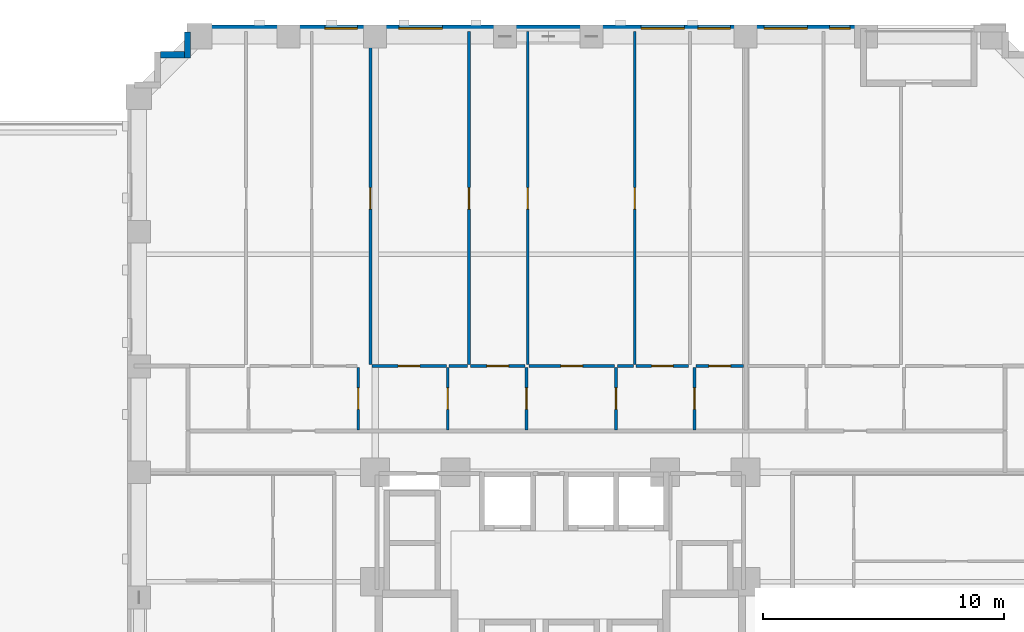
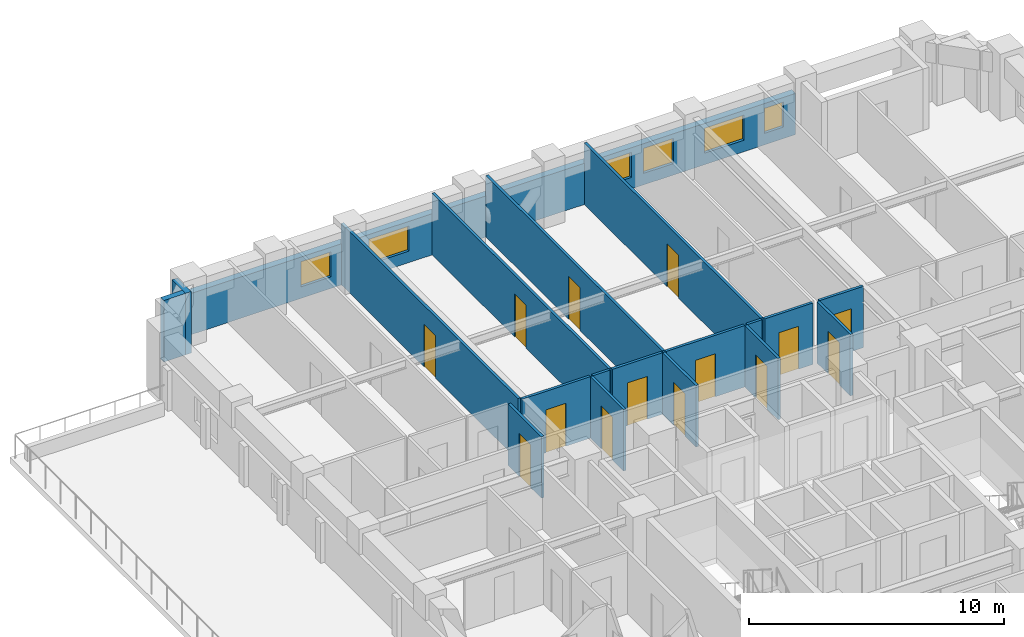
# One storey, part 8 of 14: 19 walls, 14 doors, 6 windows, 20 openings.
"""IFC4 building model written with IfcOpenShell, lengths in metres."""

from ifc_helpers import new_model, si_unit, derived_unit, direction, frame, frame_2d, origin, place, context, subcontext, project, spatial, rectangle, extrude, material, layer, layer_set, type_object, element, fill, save


model = new_model("IFC4")

# Units and contexts
model_context = context("Model", 3, precision=1e-05, world=origin(), true_north=direction((0.0, 1.0)))
body_context = subcontext(model_context, "Body", "Model", "MODEL_VIEW")
ifc_project = project(units=[si_unit("LENGTHUNIT", "METRE"), si_unit("AREAUNIT", "SQUARE_METRE"), si_unit("VOLUMEUNIT", "CUBIC_METRE"), si_unit("PLANEANGLEUNIT", "RADIAN"), si_unit("MASSUNIT", "GRAM", prefix="KILO"), derived_unit("THERMALTRANSMITTANCEUNIT", [(si_unit("MASSUNIT", "GRAM", prefix="KILO"), 1), (si_unit("TIMEUNIT", "SECOND"), -3), (si_unit("THERMODYNAMICTEMPERATUREUNIT", "KELVIN"), -1)])], contexts=[model_context])

# Site, building, storey
site_placement = place(None, origin())
site = spatial("IfcSite", under=ifc_project, at=site_placement, CompositionType="ELEMENT")
building_placement = place(site_placement, origin())
building = spatial("IfcBuilding", under=site, at=building_placement, Name="Korrvale Station Residences", CompositionType="ELEMENT")
storey_placement = place(building_placement, frame((0.0, 0.0, 25.800048828125)))
storey = spatial("IfcBuildingStorey", under=building, at=storey_placement, Name="L05", CompositionType="ELEMENT", Elevation=25.800048828125)

# Walls
ifc_material_1 = material(Name="Precast concrete C45/55", Category="concrete")
ifc_layer_1 = layer(ifc_material_1, 0.260009765625, Name="Precast concrete C45/55")
ifc_layer_set_1 = layer_set([ifc_layer_1], Name="Precast concrete C45/55")
wall_type_1 = type_object("IfcWallType", Name="WAL-EXT-LOG260", PredefinedType="SOLIDWALL", material=ifc_layer_set_1)
wall_1_placement = place(storey_placement, frame((8.882080078125, 46.35009765625, 0.0), z_axis=(0.0, 0.0, 1.0), x_axis=(1.0, 0.0, 0.0)))
element("IfcWall", 1, at=wall_1_placement, inside=storey, type_object=wall_type_1, Name="L05 Serrated Corner Precast Step NW-3", PredefinedType="SOLIDWALL", context=body_context, shape_type="SweptSolid", body=[
    extrude(rectangle(XDim=0.98583984375, YDim=0.260009765625, at=frame_2d((0.492919921875, 0.0))), origin(), (0.0, 0.0, 1.0), 2.93994140625),
])
wall_2_placement = place(storey_placement, frame((10.0, 46.219970703125, 0.0), z_axis=(0.0, 0.0, 1.0), x_axis=(0.0, 1.0, 0.0)))
element("IfcWall", 2, at=wall_2_placement, inside=storey, type_object=wall_type_1, Name="L05 Serrated Corner Precast Step NW-4", PredefinedType="SOLIDWALL", context=body_context, shape_type="SweptSolid", body=[
    extrude(rectangle(XDim=1.078125, YDim=0.260009765625, at=frame_2d((0.5390625, 0.0))), origin(), (0.0, 0.0, 1.0), 2.93994140625),
])

# Wall, openings, windows
ifc_layer_2 = layer(ifc_material_1, 0.300048828125, Name="Precast concrete C45/55")
ifc_layer_set_2 = layer_set([ifc_layer_2], Name="Precast concrete C45/55")
wall_type_2 = type_object("IfcWallType", Name="WAL-EXT-PC300", PredefinedType="SOLIDWALL", material=ifc_layer_set_2)
wall_3_placement = place(storey_placement, frame((10.0, 47.449951171875, 0.0), z_axis=(0.0, 0.0, 1.0), x_axis=(1.0, 0.0, 0.0)))
wall_3 = element("IfcWall", 3, at=wall_3_placement, inside=storey, type_object=wall_type_2, Name="L05 North Exterior Precast Wall 1", PredefinedType="SOLIDWALL", context=body_context, shape_type="SweptSolid", body=[
    extrude(rectangle(XDim=28.10009765625, YDim=0.300048828125, at=frame_2d((14.050048828125, 0.0))), origin(), (0.0, 0.0, 1.0), 1.974853515625),
])
opening_1_placement = place(wall_3_placement, frame((5.7119140625, 0.0, 0.550048828125)))
opening_1 = element("IfcOpeningElement", 4, at=opening_1_placement, cuts=wall_3, Name="Opening W-10", PredefinedType="OPENING", context=body_context, shape_type="SweptSolid", body=[
    extrude(rectangle(XDim=1.35009765625, YDim=1.199951171875, at=frame_2d((0.675048828125, 0.60009765625))), frame((0.0, 0.16015625, 0.0), z_axis=(0.0, -1.0, 0.0), x_axis=(1.0, 0.0, 0.0)), (0.0, 0.0, 1.0), 0.320068359375),
])
opening_2_placement = place(wall_3_placement, frame((8.7919921875, 0.0, 0.550048828125)))
opening_2 = element("IfcOpeningElement", 5, at=opening_2_placement, cuts=wall_3, Name="Opening W-09", PredefinedType="OPENING", context=body_context, shape_type="SweptSolid", body=[
    extrude(rectangle(XDim=1.800048828125, YDim=1.199951171875, at=frame_2d((0.89990234375, 0.60009765625))), frame((0.0, 0.16015625, 0.0), z_axis=(0.0, -1.0, 0.0), x_axis=(1.0, 0.0, 0.0)), (0.0, 0.0, 1.0), 0.320068359375),
])
opening_3_placement = place(wall_3_placement, frame((18.860107421875, 0.0, 0.550048828125)))
opening_3 = element("IfcOpeningElement", 6, at=opening_3_placement, cuts=wall_3, Name="Opening W-09", PredefinedType="OPENING", context=body_context, shape_type="SweptSolid", body=[
    extrude(rectangle(XDim=1.800048828125, YDim=1.199951171875, at=frame_2d((0.89990234375, 0.60009765625))), frame((0.0, 0.16015625, 0.0), z_axis=(0.0, -1.0, 0.0), x_axis=(1.0, 0.0, 0.0)), (0.0, 0.0, 1.0), 0.320068359375),
])
opening_4_placement = place(wall_3_placement, frame((21.215087890625, 0.0, 0.550048828125)))
opening_4 = element("IfcOpeningElement", 7, at=opening_4_placement, cuts=wall_3, Name="Opening W-10", PredefinedType="OPENING", context=body_context, shape_type="SweptSolid", body=[
    extrude(rectangle(XDim=1.35009765625, YDim=1.199951171875, at=frame_2d((0.675048828125, 0.60009765625))), frame((0.0, 0.16015625, 0.0), z_axis=(0.0, -1.0, 0.0), x_axis=(1.0, 0.0, 0.0)), (0.0, 0.0, 1.0), 0.320068359375),
])
opening_5_placement = place(wall_3_placement, frame((23.968994140625, 0.0, 0.550048828125)))
opening_5 = element("IfcOpeningElement", 8, at=opening_5_placement, cuts=wall_3, Name="Opening W-09", PredefinedType="OPENING", context=body_context, shape_type="SweptSolid", body=[
    extrude(rectangle(XDim=1.800048828125, YDim=1.199951171875, at=frame_2d((0.89990234375, 0.60009765625))), frame((0.0, 0.16015625, 0.0), z_axis=(0.0, -1.0, 0.0), x_axis=(1.0, 0.0, 0.0)), (0.0, 0.0, 1.0), 0.320068359375),
])
opening_6_placement = place(wall_3_placement, frame((26.697998046875, 0.0, 0.550048828125)))
opening_6 = element("IfcOpeningElement", 9, at=opening_6_placement, cuts=wall_3, Name="Opening W-11", PredefinedType="OPENING", context=body_context, shape_type="SweptSolid", body=[
    extrude(rectangle(XDim=0.85009765625, YDim=1.199951171875, at=frame_2d((0.425048828125, 0.60009765625))), frame((0.0, 0.16015625, 0.0), z_axis=(0.0, -1.0, 0.0), x_axis=(1.0, 0.0, 0.0)), (0.0, 0.0, 1.0), 0.320068359375),
])
ifc_material_2 = material(Name="Thermally broken aluminium frame with triple low-e glazing", Category="aluminium")
window_type_1 = type_object("IfcWindowType", Name="WIN-W09", PartitioningType="DOUBLE_PANEL_VERTICAL", PredefinedType="WINDOW", material=ifc_material_2)
window_1_placement = place(opening_2_placement, origin())
window_1 = element("IfcWindow", 10, at=window_1_placement, inside=storey, type_object=window_type_1, Name="L05 Punched Window 16", OverallHeight=1.199951171875, OverallWidth=1.800048828125, PartitioningType="DOUBLE_PANEL_VERTICAL", PredefinedType="WINDOW", context=body_context, shape_type="SweptSolid", body=[
    extrude(rectangle(XDim=1.800048828125, YDim=1.199951171875, at=frame_2d((0.89990234375, 0.60009765625))), frame((0.0, 0.030029296875, 0.0), z_axis=(0.0, -1.0, 0.0), x_axis=(1.0, 0.0, 0.0)), (0.0, 0.0, 1.0), 0.06005859375),
])
fill(opening_2, window_1)
window_2_placement = place(opening_3_placement, origin())
window_2 = element("IfcWindow", 11, at=window_2_placement, inside=storey, type_object=window_type_1, Name="L05 Punched Window 17", OverallHeight=1.199951171875, OverallWidth=1.800048828125, PartitioningType="DOUBLE_PANEL_VERTICAL", PredefinedType="WINDOW", context=body_context, shape_type="SweptSolid", body=[
    extrude(rectangle(XDim=1.800048828125, YDim=1.199951171875, at=frame_2d((0.89990234375, 0.60009765625))), frame((0.0, 0.030029296875, 0.0), z_axis=(0.0, -1.0, 0.0), x_axis=(1.0, 0.0, 0.0)), (0.0, 0.0, 1.0), 0.06005859375),
])
fill(opening_3, window_2)
window_3_placement = place(opening_5_placement, origin())
window_3 = element("IfcWindow", 12, at=window_3_placement, inside=storey, type_object=window_type_1, Name="L05 Punched Window 19", OverallHeight=1.199951171875, OverallWidth=1.800048828125, PartitioningType="DOUBLE_PANEL_VERTICAL", PredefinedType="WINDOW", context=body_context, shape_type="SweptSolid", body=[
    extrude(rectangle(XDim=1.800048828125, YDim=1.199951171875, at=frame_2d((0.89990234375, 0.60009765625))), frame((0.0, 0.030029296875, 0.0), z_axis=(0.0, -1.0, 0.0), x_axis=(1.0, 0.0, 0.0)), (0.0, 0.0, 1.0), 0.06005859375),
])
fill(opening_5, window_3)
window_type_2 = type_object("IfcWindowType", Name="WIN-W10", PartitioningType="SINGLE_PANEL", PredefinedType="WINDOW", material=ifc_material_2)
window_4_placement = place(opening_1_placement, origin())
window_4 = element("IfcWindow", 13, at=window_4_placement, inside=storey, type_object=window_type_2, Name="L05 Punched Window 15", OverallHeight=1.199951171875, OverallWidth=1.35009765625, PartitioningType="SINGLE_PANEL", PredefinedType="WINDOW", context=body_context, shape_type="SweptSolid", body=[
    extrude(rectangle(XDim=1.35009765625, YDim=1.199951171875, at=frame_2d((0.675048828125, 0.60009765625))), frame((0.0, 0.030029296875, 0.0), z_axis=(0.0, -1.0, 0.0), x_axis=(1.0, 0.0, 0.0)), (0.0, 0.0, 1.0), 0.06005859375),
])
fill(opening_1, window_4)
window_5_placement = place(opening_4_placement, origin())
window_5 = element("IfcWindow", 14, at=window_5_placement, inside=storey, type_object=window_type_2, Name="L05 Punched Window 18", OverallHeight=1.199951171875, OverallWidth=1.35009765625, PartitioningType="SINGLE_PANEL", PredefinedType="WINDOW", context=body_context, shape_type="SweptSolid", body=[
    extrude(rectangle(XDim=1.35009765625, YDim=1.199951171875, at=frame_2d((0.675048828125, 0.60009765625))), frame((0.0, 0.030029296875, 0.0), z_axis=(0.0, -1.0, 0.0), x_axis=(1.0, 0.0, 0.0)), (0.0, 0.0, 1.0), 0.06005859375),
])
fill(opening_4, window_5)
window_type_3 = type_object("IfcWindowType", Name="WIN-W11", PartitioningType="SINGLE_PANEL", PredefinedType="WINDOW", material=ifc_material_2)
window_6_placement = place(opening_6_placement, origin())
window_6 = element("IfcWindow", 15, at=window_6_placement, inside=storey, type_object=window_type_3, Name="L05 Punched Window 20", OverallHeight=1.199951171875, OverallWidth=0.85009765625, PartitioningType="SINGLE_PANEL", PredefinedType="WINDOW", context=body_context, shape_type="SweptSolid", body=[
    extrude(rectangle(XDim=0.85009765625, YDim=1.199951171875, at=frame_2d((0.425048828125, 0.60009765625))), frame((0.0, 0.030029296875, 0.0), z_axis=(0.0, -1.0, 0.0), x_axis=(1.0, 0.0, 0.0)), (0.0, 0.0, 1.0), 0.06005859375),
])
fill(opening_6, window_6)

# Wall, opening, door
ifc_material_3 = material(Name="Acoustic steel-stud gypsum board partition", Category="steel")
ifc_layer_3 = layer(ifc_material_3, 0.1201171875, Name="Acoustic steel-stud gypsum board partition")
ifc_layer_set_3 = layer_set([ifc_layer_3], Name="Acoustic steel-stud gypsum board partition")
wall_type_3 = type_object("IfcWallType", Name="WAL-PART-125", PredefinedType="PARTITIONING", material=ifc_layer_set_3)
wall_4_placement = place(storey_placement, frame((17.10009765625, 30.760009765625, 0.0), z_axis=(0.0, 0.0, 1.0), x_axis=(0.0, 1.0, 0.0)))
wall_4 = element("IfcWall", 16, at=wall_4_placement, inside=storey, type_object=wall_type_3, Name="L05 Suite Partition U02-V12", PredefinedType="PARTITIONING", context=body_context, shape_type="SweptSolid", body=[
    extrude(rectangle(XDim=2.60009765625, YDim=0.1201171875, at=frame_2d((1.300048828125, 0.0))), origin(), (0.0, 0.0, 1.0), 2.93994140625),
])
opening_7_placement = place(wall_4_placement, frame((0.85009765625, 0.0, 0.0)))
opening_7 = element("IfcOpeningElement", 17, at=opening_7_placement, cuts=wall_4, Name="Opening DI-900", PredefinedType="OPENING", context=body_context, shape_type="SweptSolid", body=[
    extrude(rectangle(XDim=0.89990234375, YDim=2.050048828125, at=frame_2d((0.449951171875, 1.02490234375))), frame((0.0, 0.070068359375, 0.0), z_axis=(0.0, -1.0, 0.0), x_axis=(1.0, 0.0, 0.0)), (0.0, 0.0, 1.0), 0.14013671875),
])
ifc_material_4 = material(Name="Painted solid-core timber interior room door", Category="wood")
door_type = type_object("IfcDoorType", Name="DR-INT-900", OperationType="NOTDEFINED", PredefinedType="DOOR", material=ifc_material_4)
door_1_placement = place(opening_7_placement, origin())
door_1 = element("IfcDoor", 18, at=door_1_placement, inside=storey, type_object=door_type, Name="L05 Apartment 2BR L05-U02 Kitchen Door", OperationType="SINGLE_SWING_RIGHT", OverallHeight=2.050048828125, OverallWidth=0.89990234375, PredefinedType="DOOR", context=body_context, shape_type="SweptSolid", body=[
    extrude(rectangle(XDim=0.89990234375, YDim=2.050048828125, at=frame_2d((0.449951171875, 1.02490234375))), frame((0.0, 0.02490234375, 0.0), z_axis=(0.0, -1.0, 0.0), x_axis=(1.0, 0.0, 0.0)), (0.0, 0.0, 1.0), 0.050048828125),
])
fill(opening_7, door_1)

wall_5_placement = place(storey_placement, frame((20.820068359375, 30.760009765625, 0.0), z_axis=(0.0, 0.0, 1.0), x_axis=(0.0, 1.0, 0.0)))
wall_5 = element("IfcWall", 19, at=wall_5_placement, inside=storey, type_object=wall_type_3, Name="L05 Suite Partition U02-V23", PredefinedType="PARTITIONING", context=body_context, shape_type="SweptSolid", body=[
    extrude(rectangle(XDim=2.60009765625, YDim=0.1201171875, at=frame_2d((1.300048828125, 0.0))), origin(), (0.0, 0.0, 1.0), 2.93994140625),
])
opening_8_placement = place(wall_5_placement, frame((0.85009765625, 0.0, 0.0)))
opening_8 = element("IfcOpeningElement", 20, at=opening_8_placement, cuts=wall_5, Name="Opening DI-900", PredefinedType="OPENING", context=body_context, shape_type="SweptSolid", body=[
    extrude(rectangle(XDim=0.89990234375, YDim=2.050048828125, at=frame_2d((0.449951171875, 1.02490234375))), frame((0.0, 0.070068359375, 0.0), z_axis=(0.0, -1.0, 0.0), x_axis=(1.0, 0.0, 0.0)), (0.0, 0.0, 1.0), 0.14013671875),
])
door_2_placement = place(opening_8_placement, origin())
door_2 = element("IfcDoor", 21, at=door_2_placement, inside=storey, type_object=door_type, Name="L05 Apartment 2BR L05-U02 Utility and Laundry Room Door", OperationType="SINGLE_SWING_LEFT", OverallHeight=2.050048828125, OverallWidth=0.89990234375, PredefinedType="DOOR", context=body_context, shape_type="SweptSolid", body=[
    extrude(rectangle(XDim=0.89990234375, YDim=2.050048828125, at=frame_2d((0.449951171875, 1.02490234375))), frame((0.0, 0.02490234375, 0.0), z_axis=(0.0, -1.0, 0.0), x_axis=(1.0, 0.0, 0.0)), (0.0, 0.0, 1.0), 0.050048828125),
])
fill(opening_8, door_2)

wall_6_placement = place(storey_placement, frame((17.6640625, 33.419921875, 0.0), z_axis=(0.0, 0.0, 1.0), x_axis=(1.0, 0.0, 0.0)))
wall_6 = element("IfcWall", 22, at=wall_6_placement, inside=storey, type_object=wall_type_3, Name="L05 Suite Partition U02-H210", PredefinedType="PARTITIONING", context=body_context, shape_type="SweptSolid", body=[
    extrude(rectangle(XDim=3.095947265625, YDim=0.1201171875, at=frame_2d((1.5478515625, 0.0))), origin(), (0.0, 0.0, 1.0), 2.93994140625),
])
opening_9_placement = place(wall_6_placement, frame((1.097900390625, 0.0, 0.0)))
opening_9 = element("IfcOpeningElement", 23, at=opening_9_placement, cuts=wall_6, Name="Opening DI-900", PredefinedType="OPENING", context=body_context, shape_type="SweptSolid", body=[
    extrude(rectangle(XDim=0.89990234375, YDim=2.050048828125, at=frame_2d((0.449951171875, 1.02490234375))), frame((0.0, 0.070068359375, 0.0), z_axis=(0.0, -1.0, 0.0), x_axis=(1.0, 0.0, 0.0)), (0.0, 0.0, 1.0), 0.14013671875),
])
door_3_placement = place(opening_9_placement, origin())
door_3 = element("IfcDoor", 24, at=door_3_placement, inside=storey, type_object=door_type, Name="L05 Apartment 2BR L05-U02 Utility and Laundry Room Door", OperationType="SINGLE_SWING_RIGHT", OverallHeight=2.050048828125, OverallWidth=0.89990234375, PredefinedType="DOOR", context=body_context, shape_type="SweptSolid", body=[
    extrude(rectangle(XDim=0.89990234375, YDim=2.050048828125, at=frame_2d((0.449951171875, 1.02490234375))), frame((0.0, 0.02490234375, 0.0), z_axis=(0.0, -1.0, 0.0), x_axis=(1.0, 0.0, 0.0)), (0.0, 0.0, 1.0), 0.050048828125),
])
fill(opening_9, door_3)

wall_7_placement = place(storey_placement, frame((24.090087890625, 30.760009765625, 0.0), z_axis=(0.0, 0.0, 1.0), x_axis=(0.0, 1.0, 0.0)))
wall_7 = element("IfcWall", 25, at=wall_7_placement, inside=storey, type_object=wall_type_3, Name="L05 Suite Partition U02-V34", PredefinedType="PARTITIONING", context=body_context, shape_type="SweptSolid", body=[
    extrude(rectangle(XDim=2.60009765625, YDim=0.1201171875, at=frame_2d((1.300048828125, 0.0))), origin(), (0.0, 0.0, 1.0), 2.93994140625),
])
opening_10_placement = place(wall_7_placement, frame((0.85009765625, 0.0, 0.0)))
opening_10 = element("IfcOpeningElement", 26, at=opening_10_placement, cuts=wall_7, Name="Opening DI-900", PredefinedType="OPENING", context=body_context, shape_type="SweptSolid", body=[
    extrude(rectangle(XDim=0.89990234375, YDim=2.050048828125, at=frame_2d((0.449951171875, 1.02490234375))), frame((0.0, 0.070068359375, 0.0), z_axis=(0.0, -1.0, 0.0), x_axis=(1.0, 0.0, 0.0)), (0.0, 0.0, 1.0), 0.14013671875),
])
door_4_placement = place(opening_10_placement, origin())
door_4 = element("IfcDoor", 27, at=door_4_placement, inside=storey, type_object=door_type, Name="L05 Apartment 2BR L05-U02 Storage Closet 2 Door", OperationType="SINGLE_SWING_LEFT", OverallHeight=2.050048828125, OverallWidth=0.89990234375, PredefinedType="DOOR", context=body_context, shape_type="SweptSolid", body=[
    extrude(rectangle(XDim=0.89990234375, YDim=2.050048828125, at=frame_2d((0.449951171875, 1.02490234375))), frame((0.0, 0.02490234375, 0.0), z_axis=(0.0, -1.0, 0.0), x_axis=(1.0, 0.0, 0.0)), (0.0, 0.0, 1.0), 0.050048828125),
])
fill(opening_10, door_4)

# Wall
wall_8_placement = place(storey_placement, frame((20.8798828125, 33.419921875, 0.0), z_axis=(0.0, 0.0, 1.0), x_axis=(1.0, 0.0, 0.0)))
element("IfcWall", 28, at=wall_8_placement, inside=storey, type_object=wall_type_3, Name="L05 Suite Partition U02-H310", PredefinedType="PARTITIONING", context=body_context, shape_type="SweptSolid", body=[
    extrude(rectangle(XDim=0.76708984375, YDim=0.1201171875, at=frame_2d((0.383544921875, 0.0))), origin(), (0.0, 0.0, 1.0), 2.93994140625),
])

# Wall, opening, door
wall_9_placement = place(storey_placement, frame((21.76708984375, 33.419921875, 0.0), z_axis=(0.0, 0.0, 1.0), x_axis=(1.0, 0.0, 0.0)))
wall_9 = element("IfcWall", 29, at=wall_9_placement, inside=storey, type_object=wall_type_3, Name="L05 Suite Partition U02-H311", PredefinedType="PARTITIONING", context=body_context, shape_type="SweptSolid", body=[
    extrude(rectangle(XDim=2.262939453125, YDim=0.1201171875, at=frame_2d((1.13134765625, 0.0))), origin(), (0.0, 0.0, 1.0), 2.93994140625),
])
opening_11_placement = place(wall_9_placement, frame((0.680908203125, 0.0, 0.0)))
opening_11 = element("IfcOpeningElement", 30, at=opening_11_placement, cuts=wall_9, Name="Opening DI-900", PredefinedType="OPENING", context=body_context, shape_type="SweptSolid", body=[
    extrude(rectangle(XDim=0.89990234375, YDim=2.050048828125, at=frame_2d((0.449951171875, 1.02490234375))), frame((0.0, 0.070068359375, 0.0), z_axis=(0.0, -1.0, 0.0), x_axis=(1.0, 0.0, 0.0)), (0.0, 0.0, 1.0), 0.14013671875),
])
door_5_placement = place(opening_11_placement, origin())
door_5 = element("IfcDoor", 31, at=door_5_placement, inside=storey, type_object=door_type, Name="L05 Apartment 2BR L05-U02 Storage Closet 2 Door", OperationType="SINGLE_SWING_RIGHT", OverallHeight=2.050048828125, OverallWidth=0.89990234375, PredefinedType="DOOR", context=body_context, shape_type="SweptSolid", body=[
    extrude(rectangle(XDim=0.89990234375, YDim=2.050048828125, at=frame_2d((0.449951171875, 1.02490234375))), frame((0.0, 0.02490234375, 0.0), z_axis=(0.0, -1.0, 0.0), x_axis=(1.0, 0.0, 0.0)), (0.0, 0.0, 1.0), 0.050048828125),
])
fill(opening_11, door_5)

wall_10_placement = place(storey_placement, frame((27.81005859375, 30.760009765625, 0.0), z_axis=(0.0, 0.0, 1.0), x_axis=(0.0, 1.0, 0.0)))
wall_10 = element("IfcWall", 32, at=wall_10_placement, inside=storey, type_object=wall_type_3, Name="L05 Suite Partition U02-V45", PredefinedType="PARTITIONING", context=body_context, shape_type="SweptSolid", body=[
    extrude(rectangle(XDim=2.60009765625, YDim=0.1201171875, at=frame_2d((1.300048828125, 0.0))), origin(), (0.0, 0.0, 1.0), 2.93994140625),
])
opening_12_placement = place(wall_10_placement, frame((0.85009765625, 0.0, 0.0)))
opening_12 = element("IfcOpeningElement", 33, at=opening_12_placement, cuts=wall_10, Name="Opening DI-900", PredefinedType="OPENING", context=body_context, shape_type="SweptSolid", body=[
    extrude(rectangle(XDim=0.89990234375, YDim=2.050048828125, at=frame_2d((0.449951171875, 1.02490234375))), frame((0.0, 0.070068359375, 0.0), z_axis=(0.0, -1.0, 0.0), x_axis=(1.0, 0.0, 0.0)), (0.0, 0.0, 1.0), 0.14013671875),
])
door_6_placement = place(opening_12_placement, origin())
door_6 = element("IfcDoor", 34, at=door_6_placement, inside=storey, type_object=door_type, Name="L05 Apartment 2BR L05-U02 Storage Closet 3 Door", OperationType="SINGLE_SWING_LEFT", OverallHeight=2.050048828125, OverallWidth=0.89990234375, PredefinedType="DOOR", context=body_context, shape_type="SweptSolid", body=[
    extrude(rectangle(XDim=0.89990234375, YDim=2.050048828125, at=frame_2d((0.449951171875, 1.02490234375))), frame((0.0, 0.02490234375, 0.0), z_axis=(0.0, -1.0, 0.0), x_axis=(1.0, 0.0, 0.0)), (0.0, 0.0, 1.0), 0.050048828125),
])
fill(opening_12, door_6)

wall_11_placement = place(storey_placement, frame((24.2041015625, 33.419921875, 0.0), z_axis=(0.0, 0.0, 1.0), x_axis=(1.0, 0.0, 0.0)))
wall_11 = element("IfcWall", 35, at=wall_11_placement, inside=storey, type_object=wall_type_3, Name="L05 Suite Partition U02-H412", PredefinedType="PARTITIONING", context=body_context, shape_type="SweptSolid", body=[
    extrude(rectangle(XDim=3.5458984375, YDim=0.1201171875, at=frame_2d((1.77294921875, 0.0))), origin(), (0.0, 0.0, 1.0), 2.93994140625),
])
opening_13_placement = place(wall_11_placement, frame((1.322998046875, 0.0, 0.0)))
opening_13 = element("IfcOpeningElement", 36, at=opening_13_placement, cuts=wall_11, Name="Opening DI-900", PredefinedType="OPENING", context=body_context, shape_type="SweptSolid", body=[
    extrude(rectangle(XDim=0.89990234375, YDim=2.050048828125, at=frame_2d((0.449951171875, 1.02490234375))), frame((0.0, 0.070068359375, 0.0), z_axis=(0.0, -1.0, 0.0), x_axis=(1.0, 0.0, 0.0)), (0.0, 0.0, 1.0), 0.14013671875),
])
door_7_placement = place(opening_13_placement, origin())
door_7 = element("IfcDoor", 37, at=door_7_placement, inside=storey, type_object=door_type, Name="L05 Apartment 2BR L05-U02 Storage Closet 3 Door", OperationType="SINGLE_SWING_RIGHT", OverallHeight=2.050048828125, OverallWidth=0.89990234375, PredefinedType="DOOR", context=body_context, shape_type="SweptSolid", body=[
    extrude(rectangle(XDim=0.89990234375, YDim=2.050048828125, at=frame_2d((0.449951171875, 1.02490234375))), frame((0.0, 0.02490234375, 0.0), z_axis=(0.0, -1.0, 0.0), x_axis=(1.0, 0.0, 0.0)), (0.0, 0.0, 1.0), 0.050048828125),
])
fill(opening_13, door_7)

wall_12_placement = place(storey_placement, frame((31.080078125, 30.760009765625, 0.0), z_axis=(0.0, 0.0, 1.0), x_axis=(0.0, 1.0, 0.0)))
wall_12 = element("IfcWall", 38, at=wall_12_placement, inside=storey, type_object=wall_type_3, Name="L05 Suite Partition U02-V56", PredefinedType="PARTITIONING", context=body_context, shape_type="SweptSolid", body=[
    extrude(rectangle(XDim=2.60009765625, YDim=0.1201171875, at=frame_2d((1.300048828125, 0.0))), origin(), (0.0, 0.0, 1.0), 2.93994140625),
])
opening_14_placement = place(wall_12_placement, frame((0.85009765625, 0.0, 0.0)))
opening_14 = element("IfcOpeningElement", 39, at=opening_14_placement, cuts=wall_12, Name="Opening DI-900", PredefinedType="OPENING", context=body_context, shape_type="SweptSolid", body=[
    extrude(rectangle(XDim=0.89990234375, YDim=2.050048828125, at=frame_2d((0.449951171875, 1.02490234375))), frame((0.0, 0.070068359375, 0.0), z_axis=(0.0, -1.0, 0.0), x_axis=(1.0, 0.0, 0.0)), (0.0, 0.0, 1.0), 0.14013671875),
])
door_8_placement = place(opening_14_placement, origin())
door_8 = element("IfcDoor", 40, at=door_8_placement, inside=storey, type_object=door_type, Name="L05 Apartment 2BR L05-U02 Storage Closet 4 Door", OperationType="SINGLE_SWING_LEFT", OverallHeight=2.050048828125, OverallWidth=0.89990234375, PredefinedType="DOOR", context=body_context, shape_type="SweptSolid", body=[
    extrude(rectangle(XDim=0.89990234375, YDim=2.050048828125, at=frame_2d((0.449951171875, 1.02490234375))), frame((0.0, 0.02490234375, 0.0), z_axis=(0.0, -1.0, 0.0), x_axis=(1.0, 0.0, 0.0)), (0.0, 0.0, 1.0), 0.050048828125),
])
fill(opening_14, door_8)

# Wall
wall_13_placement = place(storey_placement, frame((27.8701171875, 33.419921875, 0.0), z_axis=(0.0, 0.0, 1.0), x_axis=(1.0, 0.0, 0.0)))
element("IfcWall", 41, at=wall_13_placement, inside=storey, type_object=wall_type_3, Name="L05 Suite Partition U02-H512", PredefinedType="PARTITIONING", context=body_context, shape_type="SweptSolid", body=[
    extrude(rectangle(XDim=0.664794921875, YDim=0.1201171875, at=frame_2d((0.33251953125, 0.0))), origin(), (0.0, 0.0, 1.0), 2.93994140625),
])

# Wall, opening, door
wall_14_placement = place(storey_placement, frame((28.655029296875, 33.419921875, 0.0), z_axis=(0.0, 0.0, 1.0), x_axis=(1.0, 0.0, 0.0)))
wall_14 = element("IfcWall", 42, at=wall_14_placement, inside=storey, type_object=wall_type_3, Name="L05 Suite Partition U02-H513", PredefinedType="PARTITIONING", context=body_context, shape_type="SweptSolid", body=[
    extrude(rectangle(XDim=2.1728515625, YDim=0.1201171875, at=frame_2d((1.08642578125, 0.0))), origin(), (0.0, 0.0, 1.0), 2.93994140625),
])
opening_15_placement = place(wall_14_placement, frame((0.635986328125, 0.0, 0.0)))
opening_15 = element("IfcOpeningElement", 43, at=opening_15_placement, cuts=wall_14, Name="Opening DI-900", PredefinedType="OPENING", context=body_context, shape_type="SweptSolid", body=[
    extrude(rectangle(XDim=0.89990234375, YDim=2.050048828125, at=frame_2d((0.449951171875, 1.02490234375))), frame((0.0, 0.070068359375, 0.0), z_axis=(0.0, -1.0, 0.0), x_axis=(1.0, 0.0, 0.0)), (0.0, 0.0, 1.0), 0.14013671875),
])
door_9_placement = place(opening_15_placement, origin())
door_9 = element("IfcDoor", 44, at=door_9_placement, inside=storey, type_object=door_type, Name="L05 Apartment 2BR L05-U02 Storage Closet 4 Door", OperationType="SINGLE_SWING_RIGHT", OverallHeight=2.050048828125, OverallWidth=0.89990234375, PredefinedType="DOOR", context=body_context, shape_type="SweptSolid", body=[
    extrude(rectangle(XDim=0.89990234375, YDim=2.050048828125, at=frame_2d((0.449951171875, 1.02490234375))), frame((0.0, 0.02490234375, 0.0), z_axis=(0.0, -1.0, 0.0), x_axis=(1.0, 0.0, 0.0)), (0.0, 0.0, 1.0), 0.050048828125),
])
fill(opening_15, door_9)

wall_15_placement = place(storey_placement, frame((31.139892578125, 33.419921875, 0.0), z_axis=(0.0, 0.0, 1.0), x_axis=(1.0, 0.0, 0.0)))
wall_15 = element("IfcWall", 45, at=wall_15_placement, inside=storey, type_object=wall_type_3, Name="L05 Suite Partition U02-H614", PredefinedType="PARTITIONING", context=body_context, shape_type="SweptSolid", body=[
    extrude(rectangle(XDim=1.980224609375, YDim=0.1201171875, at=frame_2d((0.990234375, 0.0))), origin(), (0.0, 0.0, 1.0), 2.93994140625),
])
opening_16_placement = place(wall_15_placement, frame((0.5400390625, 0.0, 0.0)))
opening_16 = element("IfcOpeningElement", 46, at=opening_16_placement, cuts=wall_15, Name="Opening DI-900", PredefinedType="OPENING", context=body_context, shape_type="SweptSolid", body=[
    extrude(rectangle(XDim=0.89990234375, YDim=2.050048828125, at=frame_2d((0.449951171875, 1.02490234375))), frame((0.0, 0.070068359375, 0.0), z_axis=(0.0, -1.0, 0.0), x_axis=(1.0, 0.0, 0.0)), (0.0, 0.0, 1.0), 0.14013671875),
])
door_10_placement = place(opening_16_placement, origin())
door_10 = element("IfcDoor", 47, at=door_10_placement, inside=storey, type_object=door_type, Name="L05 Apartment 2BR L05-U02 Storage Closet 5 Door", OperationType="SINGLE_SWING_LEFT", OverallHeight=2.050048828125, OverallWidth=0.89990234375, PredefinedType="DOOR", context=body_context, shape_type="SweptSolid", body=[
    extrude(rectangle(XDim=0.89990234375, YDim=2.050048828125, at=frame_2d((0.449951171875, 1.02490234375))), frame((0.0, 0.02490234375, 0.0), z_axis=(0.0, -1.0, 0.0), x_axis=(1.0, 0.0, 0.0)), (0.0, 0.0, 1.0), 0.050048828125),
])
fill(opening_16, door_10)

wall_16_placement = place(storey_placement, frame((17.60400390625, 33.47998046875, 0.0), z_axis=(0.0, 0.0, 1.0), x_axis=(0.0, 1.0, 0.0)))
wall_16 = element("IfcWall", 48, at=wall_16_placement, inside=storey, type_object=wall_type_3, Name="L05 Suite Partition U02-V910", PredefinedType="PARTITIONING", context=body_context, shape_type="SweptSolid", body=[
    extrude(rectangle(XDim=13.840087890625, YDim=0.1201171875, at=frame_2d((6.919921875, 0.0))), origin(), (0.0, 0.0, 1.0), 2.93994140625),
])
opening_17_placement = place(wall_16_placement, frame((6.455078125, 0.0, 0.0)))
opening_17 = element("IfcOpeningElement", 49, at=opening_17_placement, cuts=wall_16, Name="Opening DI-900", PredefinedType="OPENING", context=body_context, shape_type="SweptSolid", body=[
    extrude(rectangle(XDim=0.89990234375, YDim=2.050048828125, at=frame_2d((0.449951171875, 1.02490234375))), frame((0.0, 0.070068359375, 0.0), z_axis=(0.0, -1.0, 0.0), x_axis=(1.0, 0.0, 0.0)), (0.0, 0.0, 1.0), 0.14013671875),
])
door_11_placement = place(opening_17_placement, origin())
door_11 = element("IfcDoor", 50, at=door_11_placement, inside=storey, type_object=door_type, Name="L05 Apartment 2BR L05-U02 Home Study Room Door", OperationType="SINGLE_SWING_RIGHT", OverallHeight=2.050048828125, OverallWidth=0.89990234375, PredefinedType="DOOR", context=body_context, shape_type="SweptSolid", body=[
    extrude(rectangle(XDim=0.89990234375, YDim=2.050048828125, at=frame_2d((0.449951171875, 1.02490234375))), frame((0.0, 0.02490234375, 0.0), z_axis=(0.0, -1.0, 0.0), x_axis=(1.0, 0.0, 0.0)), (0.0, 0.0, 1.0), 0.050048828125),
])
fill(opening_17, door_11)

wall_17_placement = place(storey_placement, frame((21.70703125, 33.47998046875, 0.0), z_axis=(0.0, 0.0, 1.0), x_axis=(0.0, 1.0, 0.0)))
wall_17 = element("IfcWall", 51, at=wall_17_placement, inside=storey, type_object=wall_type_3, Name="L05 Suite Partition U02-V1011", PredefinedType="PARTITIONING", context=body_context, shape_type="SweptSolid", body=[
    extrude(rectangle(XDim=13.840087890625, YDim=0.1201171875, at=frame_2d((6.919921875, 0.0))), origin(), (0.0, 0.0, 1.0), 2.93994140625),
])
opening_18_placement = place(wall_17_placement, frame((6.455078125, 0.0, 0.0)))
opening_18 = element("IfcOpeningElement", 52, at=opening_18_placement, cuts=wall_17, Name="Opening DI-900", PredefinedType="OPENING", context=body_context, shape_type="SweptSolid", body=[
    extrude(rectangle(XDim=0.89990234375, YDim=2.050048828125, at=frame_2d((0.449951171875, 1.02490234375))), frame((0.0, 0.070068359375, 0.0), z_axis=(0.0, -1.0, 0.0), x_axis=(1.0, 0.0, 0.0)), (0.0, 0.0, 1.0), 0.14013671875),
])
door_12_placement = place(opening_18_placement, origin())
door_12 = element("IfcDoor", 53, at=door_12_placement, inside=storey, type_object=door_type, Name="L05 Apartment 2BR L05-U02 Family Lounge Room Door", OperationType="SINGLE_SWING_LEFT", OverallHeight=2.050048828125, OverallWidth=0.89990234375, PredefinedType="DOOR", context=body_context, shape_type="SweptSolid", body=[
    extrude(rectangle(XDim=0.89990234375, YDim=2.050048828125, at=frame_2d((0.449951171875, 1.02490234375))), frame((0.0, 0.02490234375, 0.0), z_axis=(0.0, -1.0, 0.0), x_axis=(1.0, 0.0, 0.0)), (0.0, 0.0, 1.0), 0.050048828125),
])
fill(opening_18, door_12)

wall_18_placement = place(storey_placement, frame((24.14404296875, 33.47998046875, 0.0), z_axis=(0.0, 0.0, 1.0), x_axis=(0.0, 1.0, 0.0)))
wall_18 = element("IfcWall", 54, at=wall_18_placement, inside=storey, type_object=wall_type_3, Name="L05 Suite Partition U02-V1112", PredefinedType="PARTITIONING", context=body_context, shape_type="SweptSolid", body=[
    extrude(rectangle(XDim=13.840087890625, YDim=0.1201171875, at=frame_2d((6.919921875, 0.0))), origin(), (0.0, 0.0, 1.0), 2.93994140625),
])
opening_19_placement = place(wall_18_placement, frame((6.455078125, 0.0, 0.0)))
opening_19 = element("IfcOpeningElement", 55, at=opening_19_placement, cuts=wall_18, Name="Opening DI-900", PredefinedType="OPENING", context=body_context, shape_type="SweptSolid", body=[
    extrude(rectangle(XDim=0.89990234375, YDim=2.050048828125, at=frame_2d((0.449951171875, 1.02490234375))), frame((0.0, 0.070068359375, 0.0), z_axis=(0.0, -1.0, 0.0), x_axis=(1.0, 0.0, 0.0)), (0.0, 0.0, 1.0), 0.14013671875),
])
door_13_placement = place(opening_19_placement, origin())
door_13 = element("IfcDoor", 56, at=door_13_placement, inside=storey, type_object=door_type, Name="L05 Apartment 2BR L05-U02 Wardrobe Storage Room Door", OperationType="SINGLE_SWING_RIGHT", OverallHeight=2.050048828125, OverallWidth=0.89990234375, PredefinedType="DOOR", context=body_context, shape_type="SweptSolid", body=[
    extrude(rectangle(XDim=0.89990234375, YDim=2.050048828125, at=frame_2d((0.449951171875, 1.02490234375))), frame((0.0, 0.02490234375, 0.0), z_axis=(0.0, -1.0, 0.0), x_axis=(1.0, 0.0, 0.0)), (0.0, 0.0, 1.0), 0.050048828125),
])
fill(opening_19, door_13)

wall_19_placement = place(storey_placement, frame((28.594970703125, 33.47998046875, 0.0), z_axis=(0.0, 0.0, 1.0), x_axis=(0.0, 1.0, 0.0)))
wall_19 = element("IfcWall", 57, at=wall_19_placement, inside=storey, type_object=wall_type_3, Name="L05 Suite Partition U02-V1213", PredefinedType="PARTITIONING", context=body_context, shape_type="SweptSolid", body=[
    extrude(rectangle(XDim=13.840087890625, YDim=0.1201171875, at=frame_2d((6.919921875, 0.0))), origin(), (0.0, 0.0, 1.0), 2.93994140625),
])
opening_20_placement = place(wall_19_placement, frame((6.455078125, 0.0, 0.0)))
opening_20 = element("IfcOpeningElement", 58, at=opening_20_placement, cuts=wall_19, Name="Opening DI-900", PredefinedType="OPENING", context=body_context, shape_type="SweptSolid", body=[
    extrude(rectangle(XDim=0.89990234375, YDim=2.050048828125, at=frame_2d((0.449951171875, 1.02490234375))), frame((0.0, 0.070068359375, 0.0), z_axis=(0.0, -1.0, 0.0), x_axis=(1.0, 0.0, 0.0)), (0.0, 0.0, 1.0), 0.14013671875),
])
door_14_placement = place(opening_20_placement, origin())
door_14 = element("IfcDoor", 59, at=door_14_placement, inside=storey, type_object=door_type, Name="L05 Apartment 2BR L05-U02 Wardrobe Storage Room Door", OperationType="SINGLE_SWING_LEFT", OverallHeight=2.050048828125, OverallWidth=0.89990234375, PredefinedType="DOOR", context=body_context, shape_type="SweptSolid", body=[
    extrude(rectangle(XDim=0.89990234375, YDim=2.050048828125, at=frame_2d((0.449951171875, 1.02490234375))), frame((0.0, 0.02490234375, 0.0), z_axis=(0.0, -1.0, 0.0), x_axis=(1.0, 0.0, 0.0)), (0.0, 0.0, 1.0), 0.050048828125),
])
fill(opening_20, door_14)

save(model, "model.ifc")
